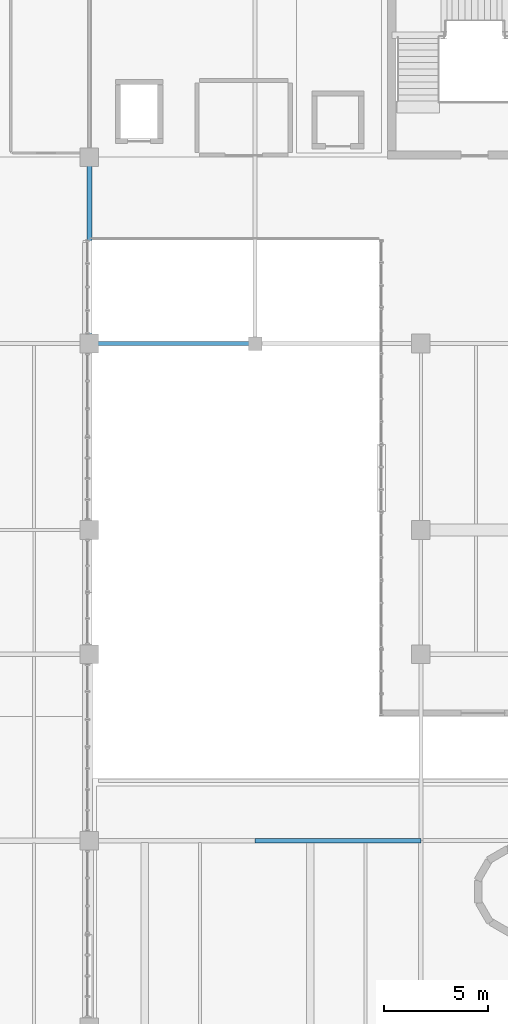
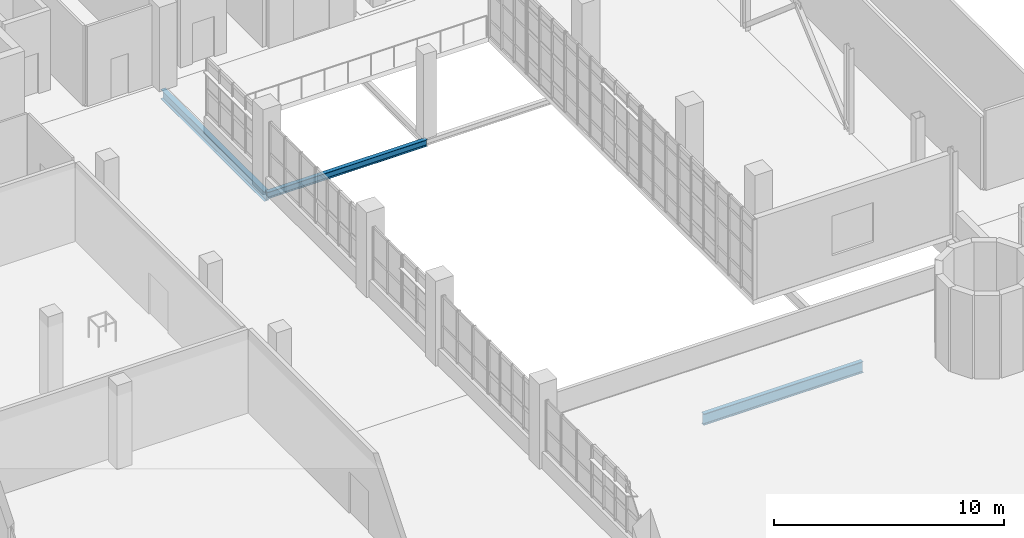
# One storey, part 23 of 85: 3 beams.
"""IFC4 building model written with IfcOpenShell, lengths in metres."""

from ifc_helpers import new_model, si_unit, derived_unit, direction, frame, origin, origin_2d, place, context, subcontext, project, spatial, i_section, extrude, material, material_profile, profile_set, type_object, element, save


model = new_model("IFC4")

# Units and contexts
model_context = context("Model", 3, precision=1e-05, world=origin(), true_north=direction((0.0, 1.0)))
body_context = subcontext(model_context, "Body", "Model", "MODEL_VIEW")
ifc_project = project(units=[si_unit("LENGTHUNIT", "METRE"), si_unit("AREAUNIT", "SQUARE_METRE"), si_unit("VOLUMEUNIT", "CUBIC_METRE"), si_unit("PLANEANGLEUNIT", "RADIAN"), si_unit("MASSUNIT", "GRAM", prefix="KILO"), derived_unit("THERMALTRANSMITTANCEUNIT", [(si_unit("POWERUNIT", "WATT"), 1), (si_unit("LENGTHUNIT", "METRE"), -2), (si_unit("THERMODYNAMICTEMPERATUREUNIT", "KELVIN"), -1)])], contexts=[model_context])

# Site, building, storey
site_placement = place(None, origin())
site = spatial("IfcSite", under=ifc_project, at=site_placement, CompositionType="ELEMENT")
building_placement = place(site_placement, origin())
building = spatial("IfcBuilding", under=site, at=building_placement, Name="Nallur Shell Playhouse", CompositionType="ELEMENT")
storey_placement = place(building_placement, frame((0.0, 0.0, 19.800048828125)))
storey = spatial("IfcBuildingStorey", under=building, at=storey_placement, Name="L05", CompositionType="ELEMENT", Elevation=19.800048828125)

# Beams
ifc_material = material(Name="Steel E350", Category="steel")
ifc_material_profile_1 = material_profile(ifc_material, i_section(OverallWidth=0.2099609375, OverallDepth=0.60009765625, WebThickness=0.011962890625, FlangeThickness=0.020751953125, FilletRadius=0.02001953125, at=origin_2d()), Name="ISMB 600")
ifc_profile_set_1 = profile_set([ifc_material_profile_1], Name="Steel E350")
beam_type_1 = type_object("IfcBeamType", Name="BM-ST-ISMB600", PredefinedType="BEAM", material=ifc_profile_set_1)
beam_1_placement = place(storey_placement, frame((48.0, 41.0, -0.550048828125), z_axis=(1.0, 0.0, 0.0), x_axis=(0.0, 1.0, 0.0)))
element("IfcBeam", 1, at=beam_1_placement, inside=storey, type_object=beam_type_1, Name="L05 girder X-E-952", PredefinedType="BEAM", context=body_context, shape_type="SweptSolid", body=[
    extrude(i_section(OverallWidth=0.2099609375, OverallDepth=0.60009765625, WebThickness=0.011962890625, FlangeThickness=0.020751953125, FilletRadius=0.02001953125, at=origin_2d()), origin(), (0.0, 0.0, 1.0), 8.0),
])
ifc_material_profile_2 = material_profile(ifc_material, i_section(OverallWidth=0.199951171875, OverallDepth=0.35009765625, WebThickness=0.008056640625, FlangeThickness=0.011474609375, FilletRadius=0.011962890625, at=origin_2d()), Name="ISWB 350")
ifc_profile_set_2 = profile_set([ifc_material_profile_2], Name="Steel E350")
beam_type_2 = type_object("IfcBeamType", Name="BM-ST-ISWB350", PredefinedType="BEAM", material=ifc_profile_set_2)
beam_2_placement = place(storey_placement, frame((40.0, 65.0, -0.425048828125), z_axis=(1.0, 0.0, 0.0), x_axis=(0.0, 1.0, 0.0)))
element("IfcBeam", 2, at=beam_2_placement, inside=storey, type_object=beam_type_2, Name="L05 girder X-H-982", PredefinedType="BEAM", context=body_context, shape_type="SweptSolid", body=[
    extrude(i_section(OverallWidth=0.199951171875, OverallDepth=0.35009765625, WebThickness=0.008056640625, FlangeThickness=0.011474609375, FilletRadius=0.011962890625, at=origin_2d()), origin(), (0.0, 0.0, 1.0), 8.0),
])
ifc_material_profile_3 = material_profile(ifc_material, i_section(OverallWidth=0.25, OverallDepth=0.5, WebThickness=0.010009765625, FlangeThickness=0.0146484375, FilletRadius=0.014892578125, at=origin_2d()), Name="ISWB 500")
ifc_profile_set_3 = profile_set([ifc_material_profile_3], Name="Steel E350")
beam_type_3 = type_object("IfcBeamType", Name="BM-ST-ISWB500", PredefinedType="BEAM", material=ifc_profile_set_3)
beam_3_placement = place(storey_placement, frame((40.0, 65.0, -0.5), z_axis=(0.0, 1.0, 0.0), x_axis=(-1.0, 0.0, 0.0)))
element("IfcBeam", 3, at=beam_3_placement, inside=storey, type_object=beam_type_3, Name="L05 girder Y-5-1011", PredefinedType="BEAM", context=body_context, shape_type="SweptSolid", body=[
    extrude(i_section(OverallWidth=0.25, OverallDepth=0.5, WebThickness=0.010009765625, FlangeThickness=0.0146484375, FilletRadius=0.014892578125, at=origin_2d()), origin(), (0.0, 0.0, 1.0), 9.0),
])

save(model, "model.ifc")
